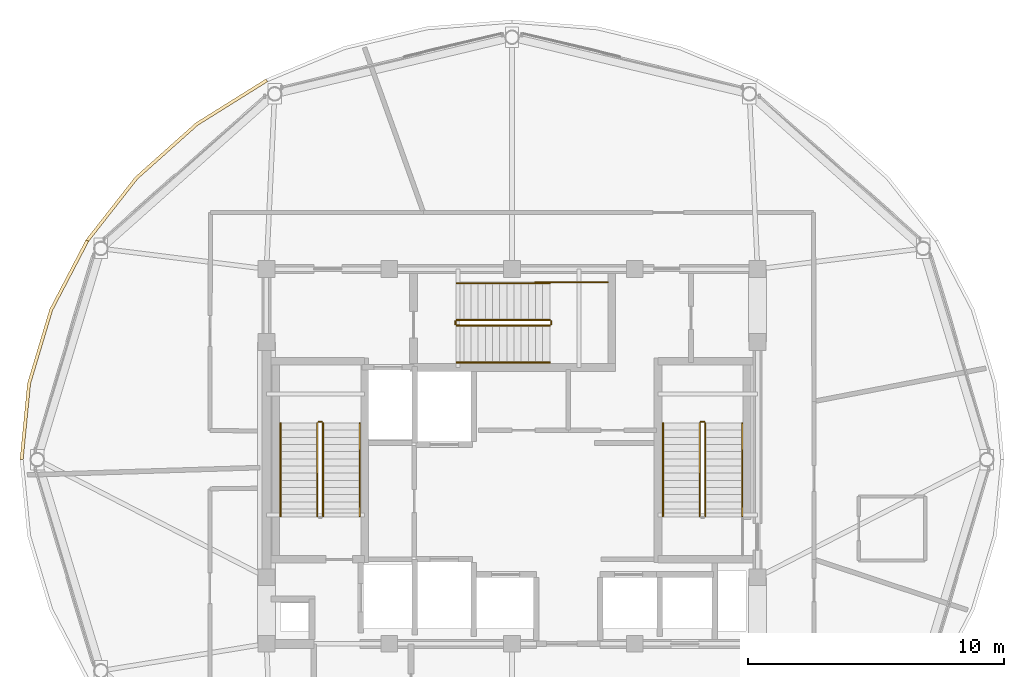
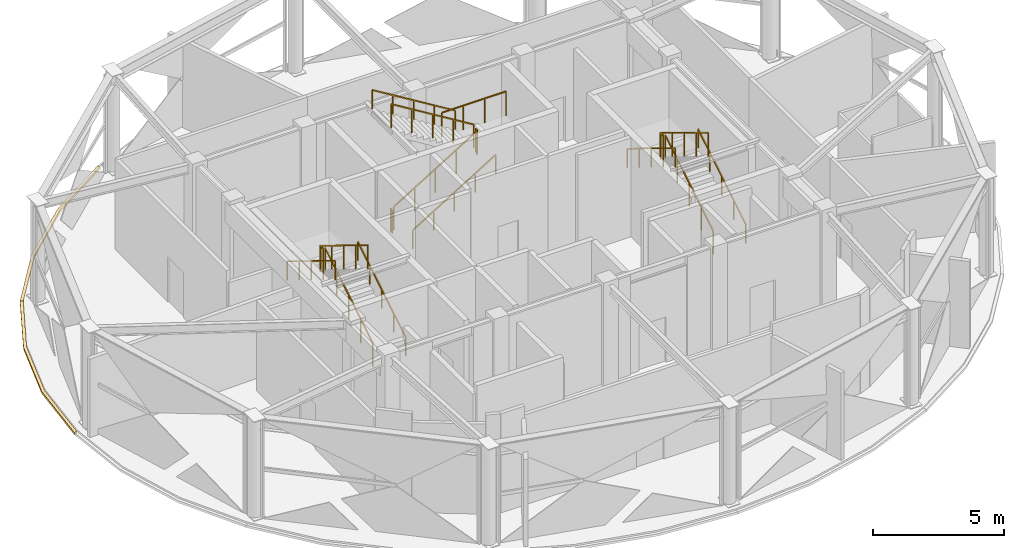
# One storey, part 21 of 22: 17 railings, 2 coverings.
"""IFC4 building model written with IfcOpenShell, lengths in metres."""

from ifc_helpers import new_model, si_unit, direction, frame, origin, origin_2d, place, context, subcontext, project, spatial, polyline, rectangle, outline, extrude, material, layer, layer_set, type_object, element, save


model = new_model("IFC4")

# Units and contexts
model_context = context("Model", 3, precision=1e-05, world=origin(), true_north=direction((0.0, 1.0)))
body_context = subcontext(model_context, "Body", "Model", "MODEL_VIEW")
ifc_project = project(units=[si_unit("LENGTHUNIT", "METRE"), si_unit("AREAUNIT", "SQUARE_METRE"), si_unit("VOLUMEUNIT", "CUBIC_METRE"), si_unit("PLANEANGLEUNIT", "RADIAN"), si_unit("MASSUNIT", "GRAM", prefix="KILO")], contexts=[model_context])

# Site, building, storey
site_placement = place(None, origin())
site = spatial("IfcSite", under=ifc_project, at=site_placement, CompositionType="ELEMENT")
building_placement = place(site_placement, origin())
building = spatial("IfcBuilding", under=site, at=building_placement, Name="Vantalir Tower", CompositionType="ELEMENT")
storey_placement = place(building_placement, frame((0.0, 0.0, 294.89990234375)))
storey = spatial("IfcBuildingStorey", under=building, at=storey_placement, Name="L74", CompositionType="ELEMENT", Elevation=294.89990234375)

# Coverings
ifc_material_1 = material(Name="Anodised champagne aluminium sill fascia", Category="aluminium")
ifc_layer = layer(ifc_material_1, 0.125)
ifc_layer_set = layer_set([ifc_layer], Name="Anodised champagne aluminium sill fascia")
covering_type = type_object("IfcCoveringType", Name="COV-SLAB-FASCIA-125", PredefinedType="CLADDING", material=ifc_layer_set)
covering_1_placement = place(storey_placement, frame((0.0, 0.0, -0.179931640625)))
element("IfcCovering", 1, at=covering_1_placement, inside=storey, type_object=covering_type, Name="L74 Perimeter Slab-Edge Sill Fascia 05", PredefinedType="CLADDING", context=body_context, shape_type="SweptSolid", body=[
    extrude(outline(polyline([(21.883056640625, 39.884033203125), (19.135986328125, 38.166015625), (16.764892578125, 36.048095703125), (14.842041015625, 33.593017578125), (14.949951171875, 33.531005859375), (16.861083984375, 35.967041015625), (19.216064453125, 38.070068359375), (21.945068359375, 39.77587890625), (21.883056640625, 39.884033203125)])), origin(), (0.0, 0.0, 1.0), 0.10498046875),
])
covering_2_placement = place(storey_placement, frame((0.0, 0.0, -0.179931640625)))
element("IfcCovering", 2, at=covering_2_placement, inside=storey, type_object=covering_type, Name="L74 Perimeter Slab-Edge Sill Fascia 06", PredefinedType="CLADDING", context=body_context, shape_type="SweptSolid", body=[
    extrude(outline(polyline([(14.842041015625, 33.593017578125), (13.425048828125, 30.8779296875), (12.556884765625, 27.98388671875), (12.264892578125, 25.0), (12.389892578125, 25.0), (12.679931640625, 27.962890625), (13.5419921875, 30.8359375), (14.949951171875, 33.531005859375), (14.842041015625, 33.593017578125)])), origin(), (0.0, 0.0, 1.0), 0.10498046875),
])

# Railings
ifc_material_2 = material(Name="Anodised aluminium and stainless steel guard", Category="steel")
railing_type_1 = type_object("IfcRailingType", Name="RAL-GUARD-1120", PredefinedType="GUARDRAIL", material=ifc_material_2)
railing_1_placement = place(storey_placement, frame((24.110107421875, 22.7900390625, 0.171630859375)))
element("IfcRailing", 3, at=railing_1_placement, inside=storey, type_object=railing_type_1, Name="L74 ST1 stair guard 1", PredefinedType="GUARDRAIL", context=body_context, shape_type="SweptSolid", body=[
    extrude(rectangle(XDim=0.048095703125, YDim=0.048095703125, at=origin_2d()), frame((0.0, 0.0, 1.09619140625), z_axis=(0.0, 0.852850264322, 0.5221555579), x_axis=(-1.0, 0.0, 0.0)), (0.0, 0.0, 1.0), 4.267822265625),
    extrude(rectangle(XDim=0.0419921875, YDim=0.0419921875, at=origin_2d()), origin(), (0.0, 0.0, 1.0), 1.072021484375),
    extrude(rectangle(XDim=0.0419921875, YDim=0.0419921875, at=origin_2d()), frame((0.0, 0.909912109375, 0.55712890625)), (0.0, 0.0, 1.0), 1.072021484375),
    extrude(rectangle(XDim=0.0419921875, YDim=0.0419921875, at=origin_2d()), frame((0.0, 1.81982421875, 1.1142578125)), (0.0, 0.0, 1.0), 1.072021484375),
    extrude(rectangle(XDim=0.0419921875, YDim=0.0419921875, at=origin_2d()), frame((0.0, 2.72998046875, 1.67138671875)), (0.0, 0.0, 1.0), 1.072021484375),
    extrude(rectangle(XDim=0.0419921875, YDim=0.0419921875, at=origin_2d()), frame((0.0, 3.639892578125, 2.228515625)), (0.0, 0.0, 1.0), 1.072021484375),
])
railing_2_placement = place(storey_placement, frame((24.06005859375, 26.47998046875, 2.400146484375)))
element("IfcRailing", 4, at=railing_2_placement, inside=storey, type_object=railing_type_1, Name="L74 ST1 stair guard 2", PredefinedType="GUARDRAIL", context=body_context, shape_type="SweptSolid", body=[
    extrude(rectangle(XDim=0.048095703125, YDim=0.048095703125, at=origin_2d()), frame((0.0, 0.0, 1.09619140625), z_axis=(-1.0, 0.0, 0.0), x_axis=(0.0, -1.0, 0.0)), (0.0, 0.0, 1.0), 0.1201171875),
    extrude(rectangle(XDim=0.0419921875, YDim=0.0419921875, at=origin_2d()), origin(), (0.0, 0.0, 1.0), 1.072021484375),
    extrude(rectangle(XDim=0.0419921875, YDim=0.0419921875, at=origin_2d()), frame((-0.1201171875, 0.0, 0.0)), (0.0, 0.0, 1.0), 1.072021484375),
])
railing_3_placement = place(storey_placement, frame((23.889892578125, 26.429931640625, 2.571533203125)))
element("IfcRailing", 5, at=railing_3_placement, inside=storey, type_object=railing_type_1, Name="L74 ST1 stair guard 3", PredefinedType="GUARDRAIL", context=body_context, shape_type="SweptSolid", body=[
    extrude(rectangle(XDim=0.048095703125, YDim=0.048095703125, at=origin_2d()), frame((0.0, 0.0, 1.09619140625), z_axis=(0.0, -0.852850264322, 0.5221555579), x_axis=(1.0, 0.0, 0.0)), (0.0, 0.0, 1.0), 4.267822265625),
    extrude(rectangle(XDim=0.0419921875, YDim=0.0419921875, at=origin_2d()), origin(), (0.0, 0.0, 1.0), 1.072021484375),
    extrude(rectangle(XDim=0.0419921875, YDim=0.0419921875, at=origin_2d()), frame((0.0, -0.909912109375, 0.55712890625)), (0.0, 0.0, 1.0), 1.072021484375),
    extrude(rectangle(XDim=0.0419921875, YDim=0.0419921875, at=origin_2d()), frame((0.0, -1.81982421875, 1.1142578125)), (0.0, 0.0, 1.0), 1.072021484375),
    extrude(rectangle(XDim=0.0419921875, YDim=0.0419921875, at=origin_2d()), frame((0.0, -2.72998046875, 1.67138671875)), (0.0, 0.0, 1.0), 1.072021484375),
    extrude(rectangle(XDim=0.0419921875, YDim=0.0419921875, at=origin_2d()), frame((0.0, -3.639892578125, 2.228515625)), (0.0, 0.0, 1.0), 1.072021484375),
])
railing_4_placement = place(storey_placement, frame((39.06005859375, 22.7900390625, 0.171630859375)))
element("IfcRailing", 6, at=railing_4_placement, inside=storey, type_object=railing_type_1, Name="L74 ST2 stair guard 1", PredefinedType="GUARDRAIL", context=body_context, shape_type="SweptSolid", body=[
    extrude(rectangle(XDim=0.048095703125, YDim=0.048095703125, at=origin_2d()), frame((0.0, 0.0, 1.09619140625), z_axis=(0.0, 0.852850264322, 0.5221555579), x_axis=(-1.0, 0.0, 0.0)), (0.0, 0.0, 1.0), 4.267822265625),
    extrude(rectangle(XDim=0.0419921875, YDim=0.0419921875, at=origin_2d()), origin(), (0.0, 0.0, 1.0), 1.072021484375),
    extrude(rectangle(XDim=0.0419921875, YDim=0.0419921875, at=origin_2d()), frame((0.0, 0.909912109375, 0.55712890625)), (0.0, 0.0, 1.0), 1.072021484375),
    extrude(rectangle(XDim=0.0419921875, YDim=0.0419921875, at=origin_2d()), frame((0.0, 1.81982421875, 1.1142578125)), (0.0, 0.0, 1.0), 1.072021484375),
    extrude(rectangle(XDim=0.0419921875, YDim=0.0419921875, at=origin_2d()), frame((0.0, 2.72998046875, 1.67138671875)), (0.0, 0.0, 1.0), 1.072021484375),
    extrude(rectangle(XDim=0.0419921875, YDim=0.0419921875, at=origin_2d()), frame((0.0, 3.639892578125, 2.228515625)), (0.0, 0.0, 1.0), 1.072021484375),
])
railing_5_placement = place(storey_placement, frame((39.010009765625, 26.47998046875, 2.400146484375)))
element("IfcRailing", 7, at=railing_5_placement, inside=storey, type_object=railing_type_1, Name="L74 ST2 stair guard 2", PredefinedType="GUARDRAIL", context=body_context, shape_type="SweptSolid", body=[
    extrude(rectangle(XDim=0.048095703125, YDim=0.048095703125, at=origin_2d()), frame((0.0, 0.0, 1.09619140625), z_axis=(-1.0, 0.0, 0.0), x_axis=(0.0, -1.0, 0.0)), (0.0, 0.0, 1.0), 0.1201171875),
    extrude(rectangle(XDim=0.0419921875, YDim=0.0419921875, at=origin_2d()), origin(), (0.0, 0.0, 1.0), 1.072021484375),
    extrude(rectangle(XDim=0.0419921875, YDim=0.0419921875, at=origin_2d()), frame((-0.1201171875, 0.0, 0.0)), (0.0, 0.0, 1.0), 1.072021484375),
])
railing_6_placement = place(storey_placement, frame((38.840087890625, 26.429931640625, 2.571533203125)))
element("IfcRailing", 8, at=railing_6_placement, inside=storey, type_object=railing_type_1, Name="L74 ST2 stair guard 3", PredefinedType="GUARDRAIL", context=body_context, shape_type="SweptSolid", body=[
    extrude(rectangle(XDim=0.048095703125, YDim=0.048095703125, at=origin_2d()), frame((0.0, 0.0, 1.09619140625), z_axis=(0.0, -0.852850264322, 0.5221555579), x_axis=(1.0, 0.0, 0.0)), (0.0, 0.0, 1.0), 4.267822265625),
    extrude(rectangle(XDim=0.0419921875, YDim=0.0419921875, at=origin_2d()), origin(), (0.0, 0.0, 1.0), 1.072021484375),
    extrude(rectangle(XDim=0.0419921875, YDim=0.0419921875, at=origin_2d()), frame((0.0, -0.909912109375, 0.55712890625)), (0.0, 0.0, 1.0), 1.072021484375),
    extrude(rectangle(XDim=0.0419921875, YDim=0.0419921875, at=origin_2d()), frame((0.0, -1.81982421875, 1.1142578125)), (0.0, 0.0, 1.0), 1.072021484375),
    extrude(rectangle(XDim=0.0419921875, YDim=0.0419921875, at=origin_2d()), frame((0.0, -2.72998046875, 1.67138671875)), (0.0, 0.0, 1.0), 1.072021484375),
    extrude(rectangle(XDim=0.0419921875, YDim=0.0419921875, at=origin_2d()), frame((0.0, -3.639892578125, 2.228515625)), (0.0, 0.0, 1.0), 1.072021484375),
])
railing_7_placement = place(storey_placement, frame((29.340087890625, 30.239990234375, 0.171630859375)))
element("IfcRailing", 9, at=railing_7_placement, inside=storey, type_object=railing_type_1, Name="L74 ST3 stair guard 1", PredefinedType="GUARDRAIL", context=body_context, shape_type="SweptSolid", body=[
    extrude(rectangle(XDim=0.048095703125, YDim=0.048095703125, at=origin_2d()), frame((0.0, 0.0, 1.09619140625), z_axis=(0.852850264322, 0.0, 0.5221555579), x_axis=(0.0, 1.0, 0.0)), (0.0, 0.0, 1.0), 4.267822265625),
    extrude(rectangle(XDim=0.0419921875, YDim=0.0419921875, at=origin_2d()), origin(), (0.0, 0.0, 1.0), 1.072021484375),
    extrude(rectangle(XDim=0.0419921875, YDim=0.0419921875, at=origin_2d()), frame((0.909912109375, 0.0, 0.55712890625)), (0.0, 0.0, 1.0), 1.072021484375),
    extrude(rectangle(XDim=0.0419921875, YDim=0.0419921875, at=origin_2d()), frame((1.81982421875, 0.0, 1.1142578125)), (0.0, 0.0, 1.0), 1.072021484375),
    extrude(rectangle(XDim=0.0419921875, YDim=0.0419921875, at=origin_2d()), frame((2.72998046875, 0.0, 1.67138671875)), (0.0, 0.0, 1.0), 1.072021484375),
    extrude(rectangle(XDim=0.0419921875, YDim=0.0419921875, at=origin_2d()), frame((3.639892578125, 0.0, 2.228515625)), (0.0, 0.0, 1.0), 1.072021484375),
])
railing_8_placement = place(storey_placement, frame((33.030029296875, 30.2900390625, 2.400146484375)))
element("IfcRailing", 10, at=railing_8_placement, inside=storey, type_object=railing_type_1, Name="L74 ST3 stair guard 2", PredefinedType="GUARDRAIL", context=body_context, shape_type="SweptSolid", body=[
    extrude(rectangle(XDim=0.048095703125, YDim=0.048095703125, at=origin_2d()), frame((0.0, 0.0, 1.09619140625), z_axis=(0.0, 1.0, 0.0), x_axis=(-1.0, 0.0, 0.0)), (0.0, 0.0, 1.0), 0.119873046875),
    extrude(rectangle(XDim=0.0419921875, YDim=0.0419921875, at=origin_2d()), origin(), (0.0, 0.0, 1.0), 1.072021484375),
    extrude(rectangle(XDim=0.0419921875, YDim=0.0419921875, at=origin_2d()), frame((0.0, 0.119873046875, 0.0)), (0.0, 0.0, 1.0), 1.072021484375),
])
railing_9_placement = place(storey_placement, frame((32.97998046875, 30.4599609375, 2.571533203125)))
element("IfcRailing", 11, at=railing_9_placement, inside=storey, type_object=railing_type_1, Name="L74 ST3 stair guard 3", PredefinedType="GUARDRAIL", context=body_context, shape_type="SweptSolid", body=[
    extrude(rectangle(XDim=0.048095703125, YDim=0.048095703125, at=origin_2d()), frame((0.0, 0.0, 1.09619140625), z_axis=(-0.852850264322, 0.0, 0.5221555579), x_axis=(0.0, -1.0, 0.0)), (0.0, 0.0, 1.0), 4.267822265625),
    extrude(rectangle(XDim=0.0419921875, YDim=0.0419921875, at=origin_2d()), origin(), (0.0, 0.0, 1.0), 1.072021484375),
    extrude(rectangle(XDim=0.0419921875, YDim=0.0419921875, at=origin_2d()), frame((-0.909912109375, 0.0, 0.55712890625)), (0.0, 0.0, 1.0), 1.072021484375),
    extrude(rectangle(XDim=0.0419921875, YDim=0.0419921875, at=origin_2d()), frame((-1.81982421875, 0.0, 1.1142578125)), (0.0, 0.0, 1.0), 1.072021484375),
    extrude(rectangle(XDim=0.0419921875, YDim=0.0419921875, at=origin_2d()), frame((-2.72998046875, 0.0, 1.67138671875)), (0.0, 0.0, 1.0), 1.072021484375),
    extrude(rectangle(XDim=0.0419921875, YDim=0.0419921875, at=origin_2d()), frame((-3.639892578125, 0.0, 2.228515625)), (0.0, 0.0, 1.0), 1.072021484375),
])
railing_10_placement = place(storey_placement, frame((29.2900390625, 30.2900390625, 0.0)))
element("IfcRailing", 12, at=railing_10_placement, inside=storey, type_object=railing_type_1, Name="L74 ST3 stair guard 4", PredefinedType="GUARDRAIL", context=body_context, shape_type="SweptSolid", body=[
    extrude(rectangle(XDim=0.048095703125, YDim=0.048095703125, at=origin_2d()), frame((0.0, 0.0, 1.09619140625), z_axis=(0.0, 1.0, 0.0), x_axis=(-1.0, 0.0, 0.0)), (0.0, 0.0, 1.0), 0.119873046875),
    extrude(rectangle(XDim=0.0419921875, YDim=0.0419921875, at=origin_2d()), origin(), (0.0, 0.0, 1.0), 1.072021484375),
    extrude(rectangle(XDim=0.0419921875, YDim=0.0419921875, at=origin_2d()), frame((0.0, 0.119873046875, 0.0)), (0.0, 0.0, 1.0), 1.072021484375),
])
railing_11_placement = place(storey_placement, frame((32.419921875, 31.929931640625, 2.400146484375)))
element("IfcRailing", 13, at=railing_11_placement, inside=storey, type_object=railing_type_1, Name="L74 Stair ST3 Half-Landing Slot Guard", PredefinedType="GUARDRAIL", context=body_context, shape_type="SweptSolid", body=[
    extrude(rectangle(XDim=0.048095703125, YDim=0.048095703125, at=origin_2d()), frame((0.0, 0.0, 1.1259765625), z_axis=(1.0, 0.0, 0.0), x_axis=(0.0, 1.0, 0.0)), (0.0, 0.0, 1.0), 2.820068359375),
    extrude(rectangle(XDim=0.0419921875, YDim=0.0419921875, at=origin_2d()), origin(), (0.0, 0.0, 1.0), 1.101806640625),
    extrude(rectangle(XDim=0.0419921875, YDim=0.0419921875, at=origin_2d()), frame((0.93994140625, 0.0, 0.0)), (0.0, 0.0, 1.0), 1.101806640625),
    extrude(rectangle(XDim=0.0419921875, YDim=0.0419921875, at=origin_2d()), frame((1.880126953125, 0.0, 0.0)), (0.0, 0.0, 1.0), 1.101806640625),
    extrude(rectangle(XDim=0.0419921875, YDim=0.0419921875, at=origin_2d()), frame((2.820068359375, 0.0, 0.0)), (0.0, 0.0, 1.0), 1.101806640625),
])
ifc_material_3 = material(Name="Brushed stainless steel tubular handrail", Category="steel")
railing_type_2 = type_object("IfcRailingType", Name="RAL-HANDRAIL-900", PredefinedType="HANDRAIL", material=ifc_material_3)
railing_12_placement = place(storey_placement, frame((25.550048828125, 22.7900390625, 0.171630859375)))
element("IfcRailing", 14, at=railing_12_placement, inside=storey, type_object=railing_type_2, Name="L74 ST1 stair handrail 1", PredefinedType="HANDRAIL", context=body_context, shape_type="SweptSolid", body=[
    extrude(rectangle(XDim=0.048095703125, YDim=0.048095703125, at=origin_2d()), frame((0.0, 0.0, 0.8759765625), z_axis=(0.0, 0.852850264322, 0.5221555579), x_axis=(-1.0, 0.0, 0.0)), (0.0, 0.0, 1.0), 4.267822265625),
    extrude(rectangle(XDim=0.0419921875, YDim=0.0419921875, at=origin_2d()), origin(), (0.0, 0.0, 1.0), 0.851806640625),
    extrude(rectangle(XDim=0.0419921875, YDim=0.0419921875, at=origin_2d()), frame((0.0, 0.909912109375, 0.55712890625)), (0.0, 0.0, 1.0), 0.851806640625),
    extrude(rectangle(XDim=0.0419921875, YDim=0.0419921875, at=origin_2d()), frame((0.0, 1.81982421875, 1.1142578125)), (0.0, 0.0, 1.0), 0.851806640625),
    extrude(rectangle(XDim=0.0419921875, YDim=0.0419921875, at=origin_2d()), frame((0.0, 2.72998046875, 1.67138671875)), (0.0, 0.0, 1.0), 0.851806640625),
    extrude(rectangle(XDim=0.0419921875, YDim=0.0419921875, at=origin_2d()), frame((0.0, 3.639892578125, 2.228515625)), (0.0, 0.0, 1.0), 0.851806640625),
])
railing_13_placement = place(storey_placement, frame((22.449951171875, 26.429931640625, 2.571533203125)))
element("IfcRailing", 15, at=railing_13_placement, inside=storey, type_object=railing_type_2, Name="L74 ST1 stair handrail 2", PredefinedType="HANDRAIL", context=body_context, shape_type="SweptSolid", body=[
    extrude(rectangle(XDim=0.048095703125, YDim=0.048095703125, at=origin_2d()), frame((0.0, 0.0, 0.8759765625), z_axis=(0.0, -0.852850264322, 0.5221555579), x_axis=(1.0, 0.0, 0.0)), (0.0, 0.0, 1.0), 4.267822265625),
    extrude(rectangle(XDim=0.0419921875, YDim=0.0419921875, at=origin_2d()), origin(), (0.0, 0.0, 1.0), 0.851806640625),
    extrude(rectangle(XDim=0.0419921875, YDim=0.0419921875, at=origin_2d()), frame((0.0, -0.909912109375, 0.55712890625)), (0.0, 0.0, 1.0), 0.851806640625),
    extrude(rectangle(XDim=0.0419921875, YDim=0.0419921875, at=origin_2d()), frame((0.0, -1.81982421875, 1.1142578125)), (0.0, 0.0, 1.0), 0.851806640625),
    extrude(rectangle(XDim=0.0419921875, YDim=0.0419921875, at=origin_2d()), frame((0.0, -2.72998046875, 1.67138671875)), (0.0, 0.0, 1.0), 0.851806640625),
    extrude(rectangle(XDim=0.0419921875, YDim=0.0419921875, at=origin_2d()), frame((0.0, -3.639892578125, 2.228515625)), (0.0, 0.0, 1.0), 0.851806640625),
])
railing_14_placement = place(storey_placement, frame((40.5, 22.7900390625, 0.171630859375)))
element("IfcRailing", 16, at=railing_14_placement, inside=storey, type_object=railing_type_2, Name="L74 ST2 stair handrail 1", PredefinedType="HANDRAIL", context=body_context, shape_type="SweptSolid", body=[
    extrude(rectangle(XDim=0.048095703125, YDim=0.048095703125, at=origin_2d()), frame((0.0, 0.0, 0.8759765625), z_axis=(0.0, 0.852850264322, 0.5221555579), x_axis=(-1.0, 0.0, 0.0)), (0.0, 0.0, 1.0), 4.267822265625),
    extrude(rectangle(XDim=0.0419921875, YDim=0.0419921875, at=origin_2d()), origin(), (0.0, 0.0, 1.0), 0.851806640625),
    extrude(rectangle(XDim=0.0419921875, YDim=0.0419921875, at=origin_2d()), frame((0.0, 0.909912109375, 0.55712890625)), (0.0, 0.0, 1.0), 0.851806640625),
    extrude(rectangle(XDim=0.0419921875, YDim=0.0419921875, at=origin_2d()), frame((0.0, 1.81982421875, 1.1142578125)), (0.0, 0.0, 1.0), 0.851806640625),
    extrude(rectangle(XDim=0.0419921875, YDim=0.0419921875, at=origin_2d()), frame((0.0, 2.72998046875, 1.67138671875)), (0.0, 0.0, 1.0), 0.851806640625),
    extrude(rectangle(XDim=0.0419921875, YDim=0.0419921875, at=origin_2d()), frame((0.0, 3.639892578125, 2.228515625)), (0.0, 0.0, 1.0), 0.851806640625),
])
railing_15_placement = place(storey_placement, frame((37.39990234375, 26.429931640625, 2.571533203125)))
element("IfcRailing", 17, at=railing_15_placement, inside=storey, type_object=railing_type_2, Name="L74 ST2 stair handrail 2", PredefinedType="HANDRAIL", context=body_context, shape_type="SweptSolid", body=[
    extrude(rectangle(XDim=0.048095703125, YDim=0.048095703125, at=origin_2d()), frame((0.0, 0.0, 0.8759765625), z_axis=(0.0, -0.852850264322, 0.5221555579), x_axis=(1.0, 0.0, 0.0)), (0.0, 0.0, 1.0), 4.267822265625),
    extrude(rectangle(XDim=0.0419921875, YDim=0.0419921875, at=origin_2d()), origin(), (0.0, 0.0, 1.0), 0.851806640625),
    extrude(rectangle(XDim=0.0419921875, YDim=0.0419921875, at=origin_2d()), frame((0.0, -0.909912109375, 0.55712890625)), (0.0, 0.0, 1.0), 0.851806640625),
    extrude(rectangle(XDim=0.0419921875, YDim=0.0419921875, at=origin_2d()), frame((0.0, -1.81982421875, 1.1142578125)), (0.0, 0.0, 1.0), 0.851806640625),
    extrude(rectangle(XDim=0.0419921875, YDim=0.0419921875, at=origin_2d()), frame((0.0, -2.72998046875, 1.67138671875)), (0.0, 0.0, 1.0), 0.851806640625),
    extrude(rectangle(XDim=0.0419921875, YDim=0.0419921875, at=origin_2d()), frame((0.0, -3.639892578125, 2.228515625)), (0.0, 0.0, 1.0), 0.851806640625),
])
railing_16_placement = place(storey_placement, frame((29.340087890625, 28.800048828125, 0.171630859375)))
element("IfcRailing", 18, at=railing_16_placement, inside=storey, type_object=railing_type_2, Name="L74 ST3 stair handrail 1", PredefinedType="HANDRAIL", context=body_context, shape_type="SweptSolid", body=[
    extrude(rectangle(XDim=0.048095703125, YDim=0.048095703125, at=origin_2d()), frame((0.0, 0.0, 0.8759765625), z_axis=(0.852850264322, 0.0, 0.5221555579), x_axis=(0.0, 1.0, 0.0)), (0.0, 0.0, 1.0), 4.267822265625),
    extrude(rectangle(XDim=0.0419921875, YDim=0.0419921875, at=origin_2d()), origin(), (0.0, 0.0, 1.0), 0.851806640625),
    extrude(rectangle(XDim=0.0419921875, YDim=0.0419921875, at=origin_2d()), frame((0.909912109375, 0.0, 0.55712890625)), (0.0, 0.0, 1.0), 0.851806640625),
    extrude(rectangle(XDim=0.0419921875, YDim=0.0419921875, at=origin_2d()), frame((1.81982421875, 0.0, 1.1142578125)), (0.0, 0.0, 1.0), 0.851806640625),
    extrude(rectangle(XDim=0.0419921875, YDim=0.0419921875, at=origin_2d()), frame((2.72998046875, 0.0, 1.67138671875)), (0.0, 0.0, 1.0), 0.851806640625),
    extrude(rectangle(XDim=0.0419921875, YDim=0.0419921875, at=origin_2d()), frame((3.639892578125, 0.0, 2.228515625)), (0.0, 0.0, 1.0), 0.851806640625),
])
railing_17_placement = place(storey_placement, frame((32.97998046875, 31.89990234375, 2.571533203125)))
element("IfcRailing", 19, at=railing_17_placement, inside=storey, type_object=railing_type_2, Name="L74 ST3 stair handrail 2", PredefinedType="HANDRAIL", context=body_context, shape_type="SweptSolid", body=[
    extrude(rectangle(XDim=0.048095703125, YDim=0.048095703125, at=origin_2d()), frame((0.0, 0.0, 0.8759765625), z_axis=(-0.852850264322, 0.0, 0.5221555579), x_axis=(0.0, -1.0, 0.0)), (0.0, 0.0, 1.0), 4.267822265625),
    extrude(rectangle(XDim=0.0419921875, YDim=0.0419921875, at=origin_2d()), origin(), (0.0, 0.0, 1.0), 0.851806640625),
    extrude(rectangle(XDim=0.0419921875, YDim=0.0419921875, at=origin_2d()), frame((-0.909912109375, 0.0, 0.55712890625)), (0.0, 0.0, 1.0), 0.851806640625),
    extrude(rectangle(XDim=0.0419921875, YDim=0.0419921875, at=origin_2d()), frame((-1.81982421875, 0.0, 1.1142578125)), (0.0, 0.0, 1.0), 0.851806640625),
    extrude(rectangle(XDim=0.0419921875, YDim=0.0419921875, at=origin_2d()), frame((-2.72998046875, 0.0, 1.67138671875)), (0.0, 0.0, 1.0), 0.851806640625),
    extrude(rectangle(XDim=0.0419921875, YDim=0.0419921875, at=origin_2d()), frame((-3.639892578125, 0.0, 2.228515625)), (0.0, 0.0, 1.0), 0.851806640625),
])

save(model, "model.ifc")
